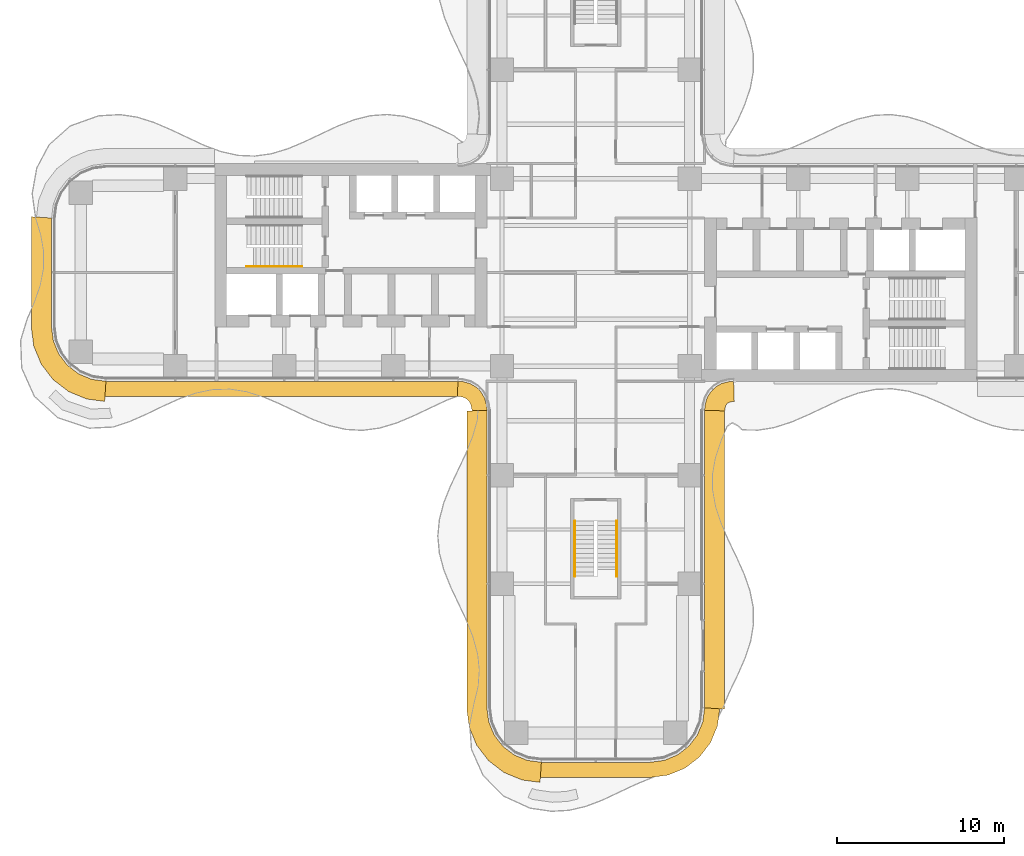
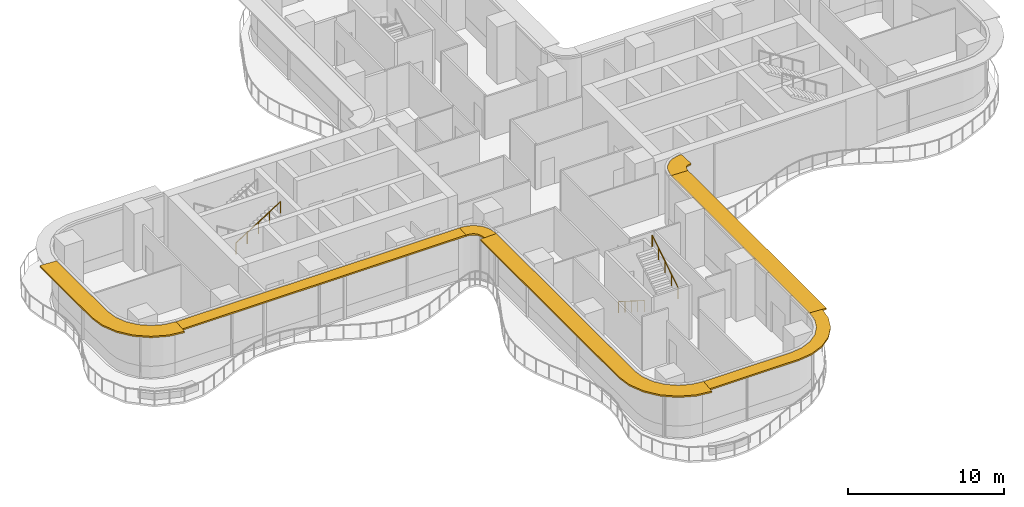
# One storey, part 21 of 22: 7 shading devices, 3 railings.
"""IFC4 building model written with IfcOpenShell, lengths in metres."""

from ifc_helpers import new_model, si_unit, direction, frame, origin, origin_2d, place, context, subcontext, project, spatial, polyline, circle, outline, extrude, source, transform, mapped, material, layer, layer_set, type_object, element, save


model = new_model("IFC4")

# Units and contexts
model_context = context("Model", 3, precision=1e-05, world=origin(), true_north=direction((0.0, 1.0)))
body_context = subcontext(model_context, "Body", "Model", "MODEL_VIEW")
ifc_project = project(units=[si_unit("LENGTHUNIT", "METRE"), si_unit("AREAUNIT", "SQUARE_METRE"), si_unit("VOLUMEUNIT", "CUBIC_METRE"), si_unit("PLANEANGLEUNIT", "RADIAN"), si_unit("MASSUNIT", "GRAM", prefix="KILO")], contexts=[model_context])

# Site, building, storey
site_placement = place(None, origin())
site = spatial("IfcSite", under=ifc_project, at=site_placement, CompositionType="ELEMENT")
building_placement = place(site_placement, origin())
building = spatial("IfcBuilding", under=site, at=building_placement, Name="Trellis Farm Tower", CompositionType="ELEMENT")
storey_placement = place(building_placement, frame((0.0, 0.0, 70.0)))
storey = spatial("IfcBuildingStorey", under=building, at=storey_placement, Name="L14", CompositionType="ELEMENT", Elevation=70.0)

# Railings
ifc_material_1 = material(Name="Stainless steel", Category="steel")
railing_type = type_object("IfcRailingType", Name="STAIR HANDRAIL 900", PredefinedType="HANDRAIL", material=ifc_material_1)
shared_shape_1 = source(origin(), body_context, "Body", "SweptSolid", [
    extrude(circle(Radius=0.02392578125, at=origin_2d()), frame((0.0, 0.0, 0.8759765625), z_axis=(0.0, 0.846319618018, 0.532675421018), x_axis=(-1.0, 0.0, 0.0)), (0.0, 0.0, 1.0), 3.89892578125),
    extrude(circle(Radius=0.02099609375, at=origin_2d()), origin(), (0.0, 0.0, 1.0), 0.851806640625),
    extrude(circle(Radius=0.02099609375, at=origin_2d()), frame((0.0, 0.824951171875, 0.519287109375)), (0.0, 0.0, 1.0), 0.851806640625),
    extrude(circle(Radius=0.02099609375, at=origin_2d()), frame((0.0, 1.64990234375, 1.03857421875)), (0.0, 0.0, 1.0), 0.851806640625),
    extrude(circle(Radius=0.02099609375, at=origin_2d()), frame((0.0, 2.474853515625, 1.5576171875)), (0.0, 0.0, 1.0), 0.851806640625),
    extrude(circle(Radius=0.02099609375, at=origin_2d()), frame((0.0, 3.2998046875, 2.076904296875)), (0.0, 0.0, 1.0), 0.851806640625),
])
railing_1_placement = place(storey_placement, frame((1.25, -18.14990234375, 2.423095703125)))
element("IfcRailing", 1, at=railing_1_placement, inside=storey, type_object=railing_type, Name="Stair handrail", PredefinedType="HANDRAIL", context=body_context, shape_type="MappedRepresentation", body=[
    mapped(shared_shape_1, transform((0.0, 0.0, 0.0))),
])
shared_shape_2 = source(origin(), body_context, "Body", "SweptSolid", [
    extrude(circle(Radius=0.02392578125, at=origin_2d()), frame((0.0, 0.0, 0.8759765625), z_axis=(0.0, -0.846319618018, 0.532675421018), x_axis=(1.0, 0.0, 0.0)), (0.0, 0.0, 1.0), 3.89892578125),
    extrude(circle(Radius=0.02099609375, at=origin_2d()), origin(), (0.0, 0.0, 1.0), 0.851806640625),
    extrude(circle(Radius=0.02099609375, at=origin_2d()), frame((0.0, -0.824951171875, 0.519287109375)), (0.0, 0.0, 1.0), 0.851806640625),
    extrude(circle(Radius=0.02099609375, at=origin_2d()), frame((0.0, -1.64990234375, 1.03857421875)), (0.0, 0.0, 1.0), 0.851806640625),
    extrude(circle(Radius=0.02099609375, at=origin_2d()), frame((0.0, -2.474853515625, 1.5576171875)), (0.0, 0.0, 1.0), 0.851806640625),
    extrude(circle(Radius=0.02099609375, at=origin_2d()), frame((0.0, -3.2998046875, 2.076904296875)), (0.0, 0.0, 1.0), 0.851806640625),
])
railing_2_placement = place(storey_placement, frame((-1.25, -14.85009765625, 0.173095703125)))
element("IfcRailing", 2, at=railing_2_placement, inside=storey, type_object=railing_type, Name="Stair handrail", PredefinedType="HANDRAIL", context=body_context, shape_type="MappedRepresentation", body=[
    mapped(shared_shape_2, transform((0.0, 0.0, 0.0))),
])
shared_shape_3 = source(origin(), body_context, "Body", "SweptSolid", [
    extrude(circle(Radius=0.02392578125, at=origin_2d()), frame((0.0, 0.0, 0.8759765625), z_axis=(0.846337383501, 0.0, 0.532647194011), x_axis=(0.0, 1.0, 0.0)), (0.0, 0.0, 1.0), 3.899169921875),
    extrude(circle(Radius=0.02099609375, at=origin_2d()), origin(), (0.0, 0.0, 1.0), 0.851806640625),
    extrude(circle(Radius=0.02099609375, at=origin_2d()), frame((0.824951171875, 0.0, 0.519287109375)), (0.0, 0.0, 1.0), 0.851806640625),
    extrude(circle(Radius=0.02099609375, at=origin_2d()), frame((1.64990234375, 0.0, 1.03857421875)), (0.0, 0.0, 1.0), 0.851806640625),
    extrude(circle(Radius=0.02099609375, at=origin_2d()), frame((2.47509765625, 0.0, 1.5576171875)), (0.0, 0.0, 1.0), 0.851806640625),
    extrude(circle(Radius=0.02099609375, at=origin_2d()), frame((3.300048828125, 0.0, 2.076904296875)), (0.0, 0.0, 1.0), 0.851806640625),
])
railing_3_placement = place(storey_placement, frame((-20.85009765625, 0.35009765625, 2.423095703125)))
element("IfcRailing", 3, at=railing_3_placement, inside=storey, type_object=railing_type, Name="Stair handrail", PredefinedType="HANDRAIL", context=body_context, shape_type="MappedRepresentation", body=[
    mapped(shared_shape_3, transform((0.0, 0.0, 0.0))),
])

# Shading devices
ifc_material_2 = material(Name="Aluminium extrusion 6063-T6", Category="aluminium")
ifc_layer_1 = layer(ifc_material_2, 0.1201171875)
ifc_layer_set_1 = layer_set([ifc_layer_1], Name="SUNSHADE BLADE 900")
shading_device_type_1 = type_object("IfcShadingDeviceType", Name="SUNSHADE BLADE 900", PredefinedType="USERDEFINED", material=ifc_layer_set_1)
shared_shape_4 = source(origin(), body_context, "Body", "SweptSolid", [
    extrude(outline(polyline([(-29.30908203125, -7.39990234375), (-8.2607421875, -7.39990234375), (-8.2314453125, -6.5), (-29.25, -6.5), (-29.30908203125, -7.39990234375)])), origin(), (0.0, 0.0, 1.0), 0.119873046875),
])
placement = place(storey_placement, frame((0.0, 0.0, 4.090087890625)))
element("IfcShadingDevice", 4, at=placement, inside=storey, type_object=shading_device_type_1, Name="SD1 001", ObjectType="SUNSHADE", PredefinedType="USERDEFINED", context=body_context, shape_type="MappedRepresentation", body=[
    mapped(shared_shape_4, transform((0.0, 0.0, 0.0))),
])
shared_shape_5 = source(origin(), body_context, "Body", "SweptSolid", [
    extrude(outline(polyline([(-8.2607421875, -7.39990234375), (-8.107666015625, -7.409912109375), (-8.091552734375, -7.412109375), (-7.85595703125, -7.475341796875), (-7.697021484375, -7.567138671875), (-7.567138671875, -7.697021484375), (-7.475341796875, -7.85595703125), (-7.412109375, -8.091552734375), (-7.409912109375, -8.107666015625), (-7.39990234375, -8.2607421875), (-6.5, -8.2314453125), (-6.513916015625, -8.01953125), (-6.527587890625, -7.91552734375), (-6.63671875, -7.508544921875), (-6.846923828125, -7.144287109375), (-7.144287109375, -6.846923828125), (-7.508544921875, -6.63671875), (-7.91552734375, -6.527587890625), (-8.01953125, -6.513916015625), (-8.2314453125, -6.5), (-8.2607421875, -7.39990234375)])), origin(), (0.0, 0.0, 1.0), 0.119873046875),
])
element("IfcShadingDevice", 5, at=placement, inside=storey, type_object=shading_device_type_1, Name="SD1 002", ObjectType="SUNSHADE", PredefinedType="USERDEFINED", context=body_context, shape_type="MappedRepresentation", body=[
    mapped(shared_shape_5, transform((0.0, 0.0, 0.0))),
])
ifc_layer_2 = layer(ifc_material_2, 0.1201171875)
ifc_layer_set_2 = layer_set([ifc_layer_2], Name="SUNSHADE BLADE 1200")
shading_device_type_2 = type_object("IfcShadingDeviceType", Name="SUNSHADE BLADE 1200", PredefinedType="USERDEFINED", material=ifc_layer_set_2)
shared_shape_6 = source(origin(), body_context, "Body", "SweptSolid", [
    extrude(outline(polyline([(-7.699951171875, -8.270751953125), (-7.699951171875, -26.07861328125), (-7.558349609375, -27.154541015625), (-7.11279296875, -28.230224609375), (-6.404052734375, -29.154052734375), (-5.480224609375, -29.86279296875), (-4.404541015625, -30.308349609375), (-3.32861328125, -30.449951171875), (-3.25, -29.25), (-4.091064453125, -29.13916015625), (-4.875, -28.814697265625), (-5.548095703125, -28.298095703125), (-6.064697265625, -27.625), (-6.38916015625, -26.841064453125), (-6.5, -26.0), (-6.5, -8.2314453125), (-7.699951171875, -8.270751953125)])), origin(), (0.0, 0.0, 1.0), 0.119873046875),
])
element("IfcShadingDevice", 6, at=placement, inside=storey, type_object=shading_device_type_2, Name="SD2 003", ObjectType="SUNSHADE", PredefinedType="USERDEFINED", context=body_context, shape_type="MappedRepresentation", body=[
    mapped(shared_shape_6, transform((0.0, 0.0, 0.0))),
])
shared_shape_7 = source(origin(), body_context, "Body", "SweptSolid", [
    extrude(outline(polyline([(-3.30908203125, -30.14990234375), (3.30908203125, -30.14990234375), (4.326171875, -30.01611328125), (5.328857421875, -29.600830078125), (6.18994140625, -28.93994140625), (6.850830078125, -28.078857421875), (7.26611328125, -27.076171875), (7.39990234375, -26.05908203125), (6.5, -26.0), (6.38916015625, -26.841064453125), (6.064697265625, -27.625), (5.548095703125, -28.298095703125), (4.875, -28.814697265625), (4.091064453125, -29.13916015625), (3.25, -29.25), (-3.25, -29.25), (-3.30908203125, -30.14990234375)])), origin(), (0.0, 0.0, 1.0), 0.119873046875),
])
element("IfcShadingDevice", 7, at=placement, inside=storey, type_object=shading_device_type_1, Name="SD1 004", ObjectType="SUNSHADE", PredefinedType="USERDEFINED", context=body_context, shape_type="MappedRepresentation", body=[
    mapped(shared_shape_7, transform((0.0, 0.0, 0.0))),
])
shared_shape_8 = source(origin(), body_context, "Body", "SweptSolid", [
    extrude(outline(polyline([(7.699951171875, -26.07861328125), (7.699951171875, -8.270751953125), (6.5, -8.2314453125), (6.5, -26.0), (7.699951171875, -26.07861328125)])), origin(), (0.0, 0.0, 1.0), 0.119873046875),
])
element("IfcShadingDevice", 8, at=placement, inside=storey, type_object=shading_device_type_2, Name="SD2 005", ObjectType="SUNSHADE", PredefinedType="USERDEFINED", context=body_context, shape_type="MappedRepresentation", body=[
    mapped(shared_shape_8, transform((0.0, 0.0, 0.0))),
])
shared_shape_9 = source(origin(), body_context, "Body", "SweptSolid", [
    extrude(outline(polyline([(7.699951171875, -8.270751953125), (7.708740234375, -8.13720703125), (7.70703125, -8.150146484375), (7.7548828125, -7.9716796875), (7.80712890625, -7.881103515625), (7.881103515625, -7.80712890625), (7.9716796875, -7.7548828125), (8.150146484375, -7.70703125), (8.13720703125, -7.708740234375), (8.270751953125, -7.699951171875), (8.2314453125, -6.5), (8.01953125, -6.513916015625), (7.91552734375, -6.527587890625), (7.508544921875, -6.63671875), (7.144287109375, -6.846923828125), (6.846923828125, -7.144287109375), (6.63671875, -7.508544921875), (6.527587890625, -7.91552734375), (6.513916015625, -8.01953125), (6.5, -8.2314453125), (7.699951171875, -8.270751953125)])), origin(), (0.0, 0.0, 1.0), 0.119873046875),
])
element("IfcShadingDevice", 9, at=placement, inside=storey, type_object=shading_device_type_2, Name="SD2 006", ObjectType="SUNSHADE", PredefinedType="USERDEFINED", context=body_context, shape_type="MappedRepresentation", body=[
    mapped(shared_shape_9, transform((0.0, 0.0, 0.0))),
])
shared_shape_10 = source(origin(), body_context, "Body", "SweptSolid", [
    extrude(outline(polyline([(-33.699951171875, 3.32861328125), (-33.699951171875, -3.32861328125), (-33.558349609375, -4.404541015625), (-33.11279296875, -5.480224609375), (-32.404052734375, -6.404052734375), (-31.480224609375, -7.11279296875), (-30.404541015625, -7.558349609375), (-29.32861328125, -7.699951171875), (-29.25, -6.5), (-30.091064453125, -6.38916015625), (-30.875, -6.064697265625), (-31.548095703125, -5.548095703125), (-32.064697265625, -4.875), (-32.38916015625, -4.091064453125), (-32.5, -3.25), (-32.5, 3.25), (-33.699951171875, 3.32861328125)])), origin(), (0.0, 0.0, 1.0), 0.119873046875),
])
element("IfcShadingDevice", 10, at=placement, inside=storey, type_object=shading_device_type_2, Name="SD2 016", ObjectType="SUNSHADE", PredefinedType="USERDEFINED", context=body_context, shape_type="MappedRepresentation", body=[
    mapped(shared_shape_10, transform((0.0, 0.0, 0.0))),
])

save(model, "model.ifc")
